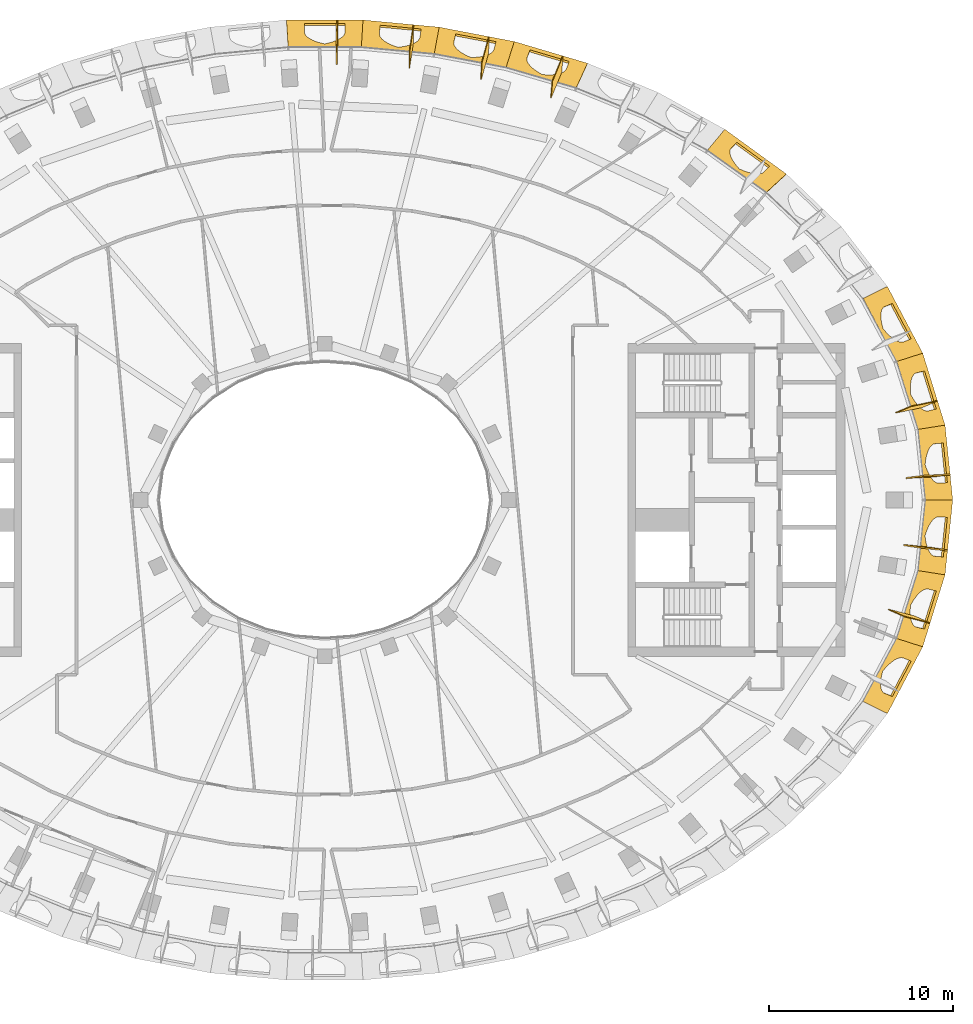
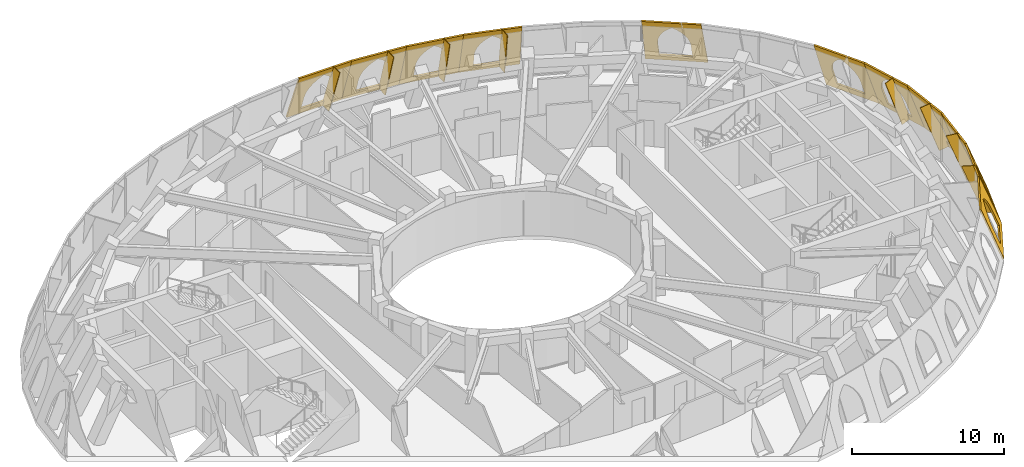
# One storey, part 14 of 14: 19 coverings.
"""IFC4 building model written with IfcOpenShell, lengths in metres."""

from ifc_helpers import new_model, si_unit, direction, frame, origin, place, context, subcontext, project, spatial, polyline, outline, extrude, material, layer, layer_set, type_object, element, save


model = new_model("IFC4")

# Units and contexts
model_context = context("Model", 3, precision=1e-05, world=origin(), true_north=direction((0.0, 1.0)))
body_context = subcontext(model_context, "Body", "Model", "MODEL_VIEW")
ifc_project = project(units=[si_unit("LENGTHUNIT", "METRE"), si_unit("AREAUNIT", "SQUARE_METRE"), si_unit("VOLUMEUNIT", "CUBIC_METRE"), si_unit("PLANEANGLEUNIT", "RADIAN"), si_unit("MASSUNIT", "GRAM", prefix="KILO")], contexts=[model_context])

# Site, building, storey
site_placement = place(None, origin())
site = spatial("IfcSite", under=ifc_project, at=site_placement, CompositionType="ELEMENT")
building_placement = place(site_placement, origin())
building = spatial("IfcBuilding", under=site, at=building_placement, Name="Noorbagh Ring Tower", CompositionType="ELEMENT")
storey_placement = place(building_placement, frame((0.0, 0.0, 343.0)))
storey = spatial("IfcBuildingStorey", under=building, at=storey_placement, Name="L75", CompositionType="ELEMENT", Elevation=343.0)

# Coverings
ifc_material_1 = material(Name="Aluminium 6063-T6 black anodised", Category="aluminium")
ifc_layer_1 = layer(ifc_material_1, 0.050048828125)
ifc_layer_set_1 = layer_set([ifc_layer_1], Name="Aluminium 6063-T6 black anodised")
covering_type_1 = type_object("IfcCoveringType", Name="STYLE-HEAD-FIN", PredefinedType="CLADDING", material=ifc_layer_set_1)
covering_1_placement = place(storey_placement, frame((34.018798828125, 1.357421875, 0.0), z_axis=(0.126888766467, -0.991521835409, 0.027994478933), x_axis=(-0.348820891966, -0.018184433384, 0.937012973075)))
element("IfcCovering", 1, at=covering_1_placement, inside=storey, type_object=covering_type_1, Name="Fin rib F01 L75", ObjectType="FIN", PredefinedType="CLADDING", context=body_context, shape_type="SweptSolid", body=[
    extrude(outline(polyline([(0.0, 0.0), (4.269405436428957, 0.0), (4.582918209071511, 0.843739407105667), (0.31351277264255367, 0.8437394071056665), (0.0, 0.0)])), origin(), (0.0, 0.0, -1.0), 0.050048828125),
])
covering_2_placement = place(storey_placement, frame((33.336181640625, 5.376708984375, 0.0), z_axis=(0.386809358776, -0.919467087178, 0.070418715978), x_axis=(-0.341156757155, -0.07173898133, 0.937264949524)))
element("IfcCovering", 2, at=covering_2_placement, inside=storey, type_object=covering_type_1, Name="Fin rib F02 L75", ObjectType="FIN", PredefinedType="CLADDING", context=body_context, shape_type="SweptSolid", body=[
    extrude(outline(polyline([(0.0, 0.0), (4.269551616795643, -2.220446049250313e-16), (4.577599874884689, 0.8456007895960724), (0.3080657724887856, 0.8456951662256905), (0.0, 0.0)])), origin(), (0.0, 0.0, -1.0), 0.050048828125),
])
covering_3_placement = place(storey_placement, frame((12.9658203125, 24.150634765625, 0.0), z_axis=(0.99020974942, -0.084247358207, 0.111297056513), x_axis=(-0.132787177759, -0.322690392381, 0.93714378624)))
element("IfcCovering", 3, at=covering_3_placement, inside=storey, type_object=covering_type_1, Name="Fin rib F09 L75", ObjectType="FIN", PredefinedType="CLADDING", context=body_context, shape_type="SweptSolid", body=[
    extrude(outline(polyline([(0.0, 0.0), (4.270097705471361, 2.220446049250313e-16), (4.569610449087812, 0.8486775241394964), (0.2994803248718809, 0.8486670169623932), (0.0, 0.0)])), origin(), (0.0, 0.0, -1.0), 0.050048828125),
])
covering_4_placement = place(storey_placement, frame((8.947509765625, 25.198486328125, 0.0), z_axis=(0.995738000279, -0.040278257647, 0.082966841342), x_axis=(-0.091707238003, -0.337036991856, 0.937014326795)))
element("IfcCovering", 4, at=covering_4_placement, inside=storey, type_object=covering_type_1, Name="Fin rib F10 L75", ObjectType="FIN", PredefinedType="CLADDING", context=body_context, shape_type="SweptSolid", body=[
    extrude(outline(polyline([(0.0, 0.0), (4.2701804879360905, -2.220446049250313e-16), (4.576570043470204, 0.8461414015156012), (0.30647183995595295, 0.8463710473729893), (0.0, 0.0)])), origin(), (0.0, 0.0, -1.0), 0.050048828125),
])
covering_5_placement = place(storey_placement, frame((4.843017578125, 25.849365234375, 0.0), z_axis=(0.998740259986, -0.010431768858, 0.049082290913), x_axis=(-0.049657435536, -0.346086678502, 0.936887479935)))
element("IfcCovering", 5, at=covering_5_placement, inside=storey, type_object=covering_type_1, Name="Fin rib F11 L75", ObjectType="FIN", PredefinedType="CLADDING", context=body_context, shape_type="SweptSolid", body=[
    extrude(outline(polyline([(0.0, 0.0), (4.269983696941542, 0.0), (4.581888599164923, 0.8441715551350804), (0.3119170256207293, 0.8441697940673561), (0.0, 0.0)])), origin(), (0.0, 0.0, -1.0), 0.050048828125),
])
covering_6_placement = place(storey_placement, frame((0.693603515625, 26.10888671875, 0.0), z_axis=(0.999853849539, 0.01207094311, 0.012106687995), x_axis=(-0.007118299096, -0.349910814242, 0.936755972436)))
element("IfcCovering", 6, at=covering_6_placement, inside=storey, type_object=covering_type_1, Name="Fin rib F12 L75", ObjectType="FIN", PredefinedType="CLADDING", context=body_context, shape_type="SweptSolid", body=[
    extrude(outline(polyline([(0.0, 0.0), (4.270057085678505, -2.220446049250313e-16), (4.584864443549209, 0.8431140137763533), (0.3148090957366956, 0.8431102189059664), (0.0, 0.0)])), origin(), (0.0, 0.0, -1.0), 0.050048828125),
])
covering_7_placement = place(storey_placement, frame((32.931396484375, -6.681396484375, 0.0), z_axis=(0.406880091467, 0.911519725709, 0.059836283407), x_axis=(-0.339042966947, 0.089866424226, 0.936468842173)))
element("IfcCovering", 7, at=covering_7_placement, inside=storey, type_object=covering_type_1, Name="Fin rib F45 L75", ObjectType="FIN", PredefinedType="CLADDING", context=body_context, shape_type="SweptSolid", body=[
    extrude(outline(polyline([(0.0, 0.0), (4.269532714398739, 0.0), (4.581104490749276, -0.8442211413685019), (0.3115937163955137, -0.8443191192979982), (0.0, 0.0)])), origin(), (0.0, 0.0, -1.0), 0.050048828125),
])
covering_8_placement = place(storey_placement, frame((33.8798828125, -2.714599609375, 0.0), z_axis=(0.150280862309, 0.988490004066, 0.017411900693), x_axis=(-0.34811913922, 0.036424423732, 0.936742401231)))
element("IfcCovering", 8, at=covering_8_placement, inside=storey, type_object=covering_type_1, Name="Fin rib F46 L75", ObjectType="FIN", PredefinedType="CLADDING", context=body_context, shape_type="SweptSolid", body=[
    extrude(outline(polyline([(0.0, 0.0), (4.269596116811338, 0.0), (4.5842263106746755, -0.8430752057862894), (0.3146301938633366, -0.8430752057862895), (0.0, 0.0)])), origin(), (0.0, 0.0, -1.0), 0.050048828125),
])
ifc_material_2 = material(Name="Red sandstone jali", Category="masonry")
ifc_layer_2 = layer(ifc_material_2, 0.1201171875)
ifc_layer_set_2 = layer_set([ifc_layer_2], Name="Red sandstone jali")
covering_type_2 = type_object("IfcCoveringType", Name="STYLE-HEAD-SKIN", PredefinedType="CLADDING", material=ifc_layer_set_2)
covering_9_placement = place(storey_placement, frame((34.15771484375, 0.0, 0.0), z_axis=(0.93229361619, 0.095346902977, 0.348909130438), x_axis=(-0.101742925715, 0.994810724223, 6.186522e-06)))
element("IfcCovering", 9, at=covering_9_placement, inside=storey, type_object=covering_type_2, Name="Head skin panel", ObjectType="HEAD SKIN", PredefinedType="CLADDING", context=body_context, shape_type="SweptSolid", body=[
    extrude(outline(polyline([(0.0, 0.0), (4.093017578125, 0.0), (4.01171875, 4.268310546875), (0.15234375, 4.268310546875), (0.0, 0.0)]), holes=[polyline([(0.970458984375, 0.550048828125), (0.981201171875, 1.8466796875), (1.002197265625, 2.128662109375), (1.0595703125, 2.406005859375), (1.152587890625, 2.673583984375), (1.27978515625, 2.92724609375), (1.438720703125, 3.162353515625), (1.626953125, 3.374755859375), (1.841064453125, 3.561279296875), (2.077392578125, 3.71826171875), (2.311279296875, 3.561279296875), (2.522216796875, 3.374755859375), (2.706787109375, 3.162353515625), (2.86181640625, 2.92724609375), (2.98486328125, 2.673583984375), (3.073486328125, 2.406005859375), (3.12646484375, 2.128662109375), (3.142578125, 1.8466796875), (3.131591796875, 0.550048828125), (0.970458984375, 0.550048828125)])]), origin(), (0.0, 0.0, -1.0), 0.1201171875),
])
covering_10_placement = place(storey_placement, frame((33.7412109375, 4.07177734375, 0.0), z_axis=(0.895637105631, 0.27789490996, 0.347287480389), x_axis=(-0.296339660983, 0.955082617017, 5.71243e-07)))
element("IfcCovering", 10, at=covering_10_placement, inside=storey, type_object=covering_type_2, Name="Head skin panel", ObjectType="HEAD SKIN", PredefinedType="CLADDING", context=body_context, shape_type="SweptSolid", body=[
    extrude(outline(polyline([(0.0, 0.0), (4.0986328125, 0.0), (4.084716796875, 4.265380859375), (0.2158203125, 4.265380859375), (0.0, 0.0)]), holes=[polyline([(0.97900390625, 0.550048828125), (1.009521484375, 1.83935546875), (1.03466796875, 2.1220703125), (1.096435546875, 2.39990234375), (1.194091796875, 2.66845703125), (1.3251953125, 2.922607421875), (1.48828125, 3.158203125), (1.68017578125, 3.37109375), (1.897705078125, 3.55810546875), (2.13720703125, 3.715576171875), (2.368896484375, 3.55810546875), (2.57763671875, 3.37109375), (2.759521484375, 3.158203125), (2.911376953125, 2.922607421875), (3.03076171875, 2.66845703125), (3.115478515625, 2.39990234375), (3.164306640625, 2.1220703125), (3.176025390625, 1.83935546875), (3.1455078125, 0.550048828125), (0.97900390625, 0.550048828125)])]), origin(), (0.0, 0.0, -1.0), 0.1201171875),
])
covering_11_placement = place(storey_placement, frame((32.526611328125, 7.986328125, 0.0), z_axis=(0.829262779638, 0.439095659371, 0.345714107651), x_axis=(-0.467948620743, 0.883755672309, -2.619767e-06)))
element("IfcCovering", 11, at=covering_11_placement, inside=storey, type_object=covering_type_2, Name="Head skin panel", ObjectType="HEAD SKIN", PredefinedType="CLADDING", context=body_context, shape_type="SweptSolid", body=[
    extrude(outline(polyline([(0.0, 0.0), (4.107666015625, 0.0), (4.14794921875, 4.262939453125), (0.26318359375, 4.262939453125), (0.0, 0.0)]), holes=[polyline([(0.985595703125, 0.550048828125), (1.03125, 1.828857421875), (1.059814453125, 2.11279296875), (1.125244140625, 2.391845703125), (1.226318359375, 2.661376953125), (1.361328125, 2.91650390625), (1.52783203125, 3.1533203125), (1.72314453125, 3.3671875), (1.943603515625, 3.5546875), (2.185791015625, 3.712890625), (2.4169921875, 3.5546875), (2.624267578125, 3.3671875), (2.80419921875, 3.1533203125), (2.953857421875, 2.91650390625), (3.07080078125, 2.661376953125), (3.152587890625, 2.391845703125), (3.1982421875, 2.11279296875), (3.206787109375, 1.828857421875), (3.1611328125, 0.550048828125), (0.985595703125, 0.550048828125)])]), origin(), (0.0, 0.0, -1.0), 0.1201171875),
])
covering_12_placement = place(storey_placement, frame((25.108642578125, 17.734130859375, 0.0), z_axis=(0.551174687824, 0.759979640364, 0.344437816934), x_axis=(-0.809515019405, 0.587099168244, 2.24531e-06)))
element("IfcCovering", 12, at=covering_12_placement, inside=storey, type_object=covering_type_2, Name="Head skin panel", ObjectType="HEAD SKIN", PredefinedType="CLADDING", context=body_context, shape_type="SweptSolid", body=[
    extrude(outline(polyline([(0.0, 0.0), (4.13818359375, 0.0), (4.232421875, 4.2607421875), (0.294921875, 4.2607421875), (0.0, 0.0)]), holes=[polyline([(0.99169921875, 0.550048828125), (1.048828125, 1.801025390625), (1.080810546875, 2.0888671875), (1.14990234375, 2.371826171875), (1.255126953125, 2.64501953125), (1.39453125, 2.90380859375), (1.56591796875, 3.1435546875), (1.76611328125, 3.3603515625), (1.991455078125, 3.550537109375), (2.23876953125, 3.710693359375), (2.47119140625, 3.550537109375), (2.67919921875, 3.3603515625), (2.859619140625, 3.1435546875), (3.0087890625, 2.90380859375), (3.124755859375, 2.64501953125), (3.204833984375, 2.371826171875), (3.248291015625, 2.0888671875), (3.25390625, 1.801025390625), (3.19677734375, 0.550048828125), (0.99169921875, 0.550048828125)])]), origin(), (0.0, 0.0, -1.0), 0.1201171875),
])
covering_13_placement = place(storey_placement, frame((14.294189453125, 23.757080078125, 0.0), z_axis=(0.266392224877, 0.899112499236, 0.347321027644), x_axis=(-0.958801902362, 0.284075539266, 4.330016e-06)))
element("IfcCovering", 13, at=covering_13_placement, inside=storey, type_object=covering_type_2, Name="Head skin panel", ObjectType="HEAD SKIN", PredefinedType="CLADDING", context=body_context, shape_type="SweptSolid", body=[
    extrude(outline(polyline([(0.0, 0.0), (4.15625, 0.0), (4.183837890625, 4.265625), (0.21435546875, 4.265625), (0.0, 0.0)]), holes=[polyline([(0.982421875, 0.550048828125), (1.017578125, 1.790283203125), (1.044677734375, 2.08056640625), (1.109619140625, 2.36572265625), (1.210693359375, 2.64111328125), (1.3466796875, 2.90185546875), (1.515380859375, 3.143798828125), (1.713134765625, 3.3623046875), (1.937255859375, 3.55419921875), (2.18359375, 3.715576171875), (2.4208984375, 3.55419921875), (2.634033203125, 3.3623046875), (2.819580078125, 3.143798828125), (2.97412109375, 2.90185546875), (3.095458984375, 2.64111328125), (3.18115234375, 2.36572265625), (3.229736328125, 2.08056640625), (3.240478515625, 1.790283203125), (3.205322265625, 0.550048828125), (0.982421875, 0.550048828125)])]), origin(), (0.0, 0.0, -1.0), 0.1201171875),
])
covering_14_placement = place(storey_placement, frame((10.30908203125, 24.937744140625, 0.0), z_axis=(0.176226407285, 0.92063105875, 0.348400211023), x_axis=(-0.982167698932, 0.188006944458, -3.293323e-06)))
element("IfcCovering", 14, at=covering_14_placement, inside=storey, type_object=covering_type_2, Name="Head skin panel", ObjectType="HEAD SKIN", PredefinedType="CLADDING", context=body_context, shape_type="SweptSolid", body=[
    extrude(outline(polyline([(0.0, 0.0), (4.1591796875, 0.0), (4.150390625, 4.267333984375), (0.17529296875, 4.267333984375), (0.0, 0.0)]), holes=[polyline([(0.977294921875, 0.550048828125), (1.001708984375, 1.78955078125), (1.0263671875, 2.080078125), (1.088623046875, 2.36572265625), (1.187744140625, 2.641357421875), (1.321533203125, 2.902587890625), (1.488037109375, 3.144775390625), (1.684326171875, 3.363525390625), (1.906982421875, 3.5556640625), (2.15234375, 3.71728515625), (2.391357421875, 3.5556640625), (2.6064453125, 3.363525390625), (2.794189453125, 3.144775390625), (2.951171875, 2.902587890625), (3.074951171875, 2.641357421875), (3.1630859375, 2.36572265625), (3.21435546875, 2.080078125), (3.227783203125, 1.78955078125), (3.20361328125, 0.550048828125), (0.977294921875, 0.550048828125)])]), origin(), (0.0, 0.0, -1.0), 0.1201171875),
])
covering_15_placement = place(storey_placement, frame((6.22412109375, 25.7197265625, 0.0), z_axis=(0.087657312521, 0.93292224724, 0.349245295124), x_axis=(-0.995615176068, 0.093543685276, 1.1354645e-05)))
element("IfcCovering", 15, at=covering_15_placement, inside=storey, type_object=covering_type_2, Name="Head skin panel", ObjectType="HEAD SKIN", PredefinedType="CLADDING", context=body_context, shape_type="SweptSolid", body=[
    extrude(outline(polyline([(0.0, 0.0), (4.16162109375, 0.0), (4.112548828125, 4.268798828125), (0.134033203125, 4.268798828125), (0.0, 0.0)]), holes=[polyline([(0.97216796875, 0.550048828125), (0.984619140625, 1.78955078125), (1.00634765625, 2.080322265625), (1.066162109375, 2.3662109375), (1.16259765625, 2.64208984375), (1.2939453125, 2.9033203125), (1.458251953125, 3.145751953125), (1.652587890625, 3.36474609375), (1.873779296875, 3.556884765625), (2.11767578125, 3.718994140625), (2.3583984375, 3.556884765625), (2.575439453125, 3.36474609375), (2.765380859375, 3.145751953125), (2.925048828125, 2.9033203125), (3.05126953125, 2.64208984375), (3.14208984375, 2.3662109375), (3.1962890625, 2.080322265625), (3.21240234375, 1.78955078125), (3.2001953125, 0.550048828125), (0.97216796875, 0.550048828125)])]), origin(), (0.0, 0.0, -1.0), 0.1201171875),
])
covering_16_placement = place(storey_placement, frame((2.080810546875, 26.10888671875, 0.0), z_axis=(0.0, 0.936779550661, 0.349920095828), x_axis=(-1.0, 0.0, 0.0)))
element("IfcCovering", 16, at=covering_16_placement, inside=storey, type_object=covering_type_2, Name="Head skin panel", ObjectType="HEAD SKIN", PredefinedType="CLADDING", context=body_context, shape_type="SweptSolid", body=[
    extrude(outline(polyline([(0.0, 0.0), (4.16162109375, 0.0), (4.070556640625, 4.27001953125), (0.091064453125, 4.27001953125), (0.0, 0.0)]), holes=[polyline([(0.966796875, 0.550048828125), (0.966796875, 1.7900390625), (0.985595703125, 2.0810546875), (1.04248046875, 2.366943359375), (1.13623046875, 2.642822265625), (1.26513671875, 2.904296875), (1.42724609375, 3.146728515625), (1.619384765625, 3.365966796875), (1.838623046875, 3.55810546875), (2.080810546875, 3.719970703125), (2.3232421875, 3.55810546875), (2.54248046875, 3.365966796875), (2.734619140625, 3.146728515625), (2.896484375, 2.904296875), (3.025634765625, 2.642822265625), (3.119384765625, 2.366943359375), (3.176025390625, 2.0810546875), (3.1953125, 1.7900390625), (3.1953125, 0.550048828125), (0.966796875, 0.550048828125)])]), origin(), (0.0, 0.0, -1.0), 0.1201171875),
])
covering_17_placement = place(storey_placement, frame((30.6044921875, -11.616455078125, 0.0), z_axis=(0.827727352883, -0.438282649021, 0.350393705504), x_axis=(0.467948597494, 0.883755684619, 2.650312e-06)))
element("IfcCovering", 17, at=covering_17_placement, inside=storey, type_object=covering_type_2, Name="Head skin panel", ObjectType="HEAD SKIN", PredefinedType="CLADDING", context=body_context, shape_type="SweptSolid", body=[
    extrude(outline(polyline([(0.0, 0.0), (4.107666015625, 0.0), (3.844482421875, 4.270751953125), (-0.0400390625, 4.270751953125), (0.0, 0.0)]), holes=[polyline([(0.946533203125, 0.550048828125), (0.90087890625, 1.8369140625), (0.909423828125, 2.12060546875), (0.955078125, 2.39990234375), (1.037109375, 2.669189453125), (1.15380859375, 2.924560546875), (1.303466796875, 3.1611328125), (1.4833984375, 3.375), (1.69091796875, 3.562744140625), (1.921875, 3.720703125), (2.1640625, 3.562744140625), (2.384521484375, 3.375), (2.579833984375, 3.1611328125), (2.746337890625, 2.924560546875), (2.88134765625, 2.669189453125), (2.982421875, 2.39990234375), (3.047607421875, 2.12060546875), (3.076416015625, 1.8369140625), (3.1220703125, 0.550048828125), (0.946533203125, 0.550048828125)])]), origin(), (0.0, 0.0, -1.0), 0.1201171875),
])
covering_18_placement = place(storey_placement, frame((32.526611328125, -7.986328125, 0.0), z_axis=(0.894495861852, -0.277540809136, 0.350497150335), x_axis=(0.296339664735, 0.955082615853, -5.75787e-07)))
element("IfcCovering", 18, at=covering_18_placement, inside=storey, type_object=covering_type_2, Name="Head skin panel", ObjectType="HEAD SKIN", PredefinedType="CLADDING", context=body_context, shape_type="SweptSolid", body=[
    extrude(outline(polyline([(0.0, 0.0), (4.0986328125, 0.0), (3.8828125, 4.27099609375), (0.01416015625, 4.27099609375), (0.0, 0.0)]), holes=[polyline([(0.952880859375, 0.550048828125), (0.922607421875, 1.8447265625), (0.934326171875, 2.12744140625), (0.983154296875, 2.405517578125), (1.06787109375, 2.673828125), (1.187255859375, 2.927978515625), (1.339111328125, 3.16357421875), (1.52099609375, 3.376708984375), (1.7294921875, 3.5634765625), (1.96142578125, 3.720947265625), (2.20068359375, 3.5634765625), (2.418212890625, 3.376708984375), (2.610107421875, 3.16357421875), (2.773193359375, 2.927978515625), (2.904541015625, 2.673828125), (3.001953125, 2.405517578125), (3.063720703125, 2.12744140625), (3.089111328125, 1.8447265625), (3.11962890625, 0.550048828125), (0.952880859375, 0.550048828125)])]), origin(), (0.0, 0.0, -1.0), 0.1201171875),
])
covering_19_placement = place(storey_placement, frame((33.7412109375, -4.07177734375, 0.0), z_axis=(0.931863593613, -0.095302923998, 0.350067987077), x_axis=(0.101742940961, 0.994810722663, -6.204207e-06)))
element("IfcCovering", 19, at=covering_19_placement, inside=storey, type_object=covering_type_2, Name="Head skin panel", ObjectType="HEAD SKIN", PredefinedType="CLADDING", context=body_context, shape_type="SweptSolid", body=[
    extrude(outline(polyline([(0.0, 0.0), (4.093017578125, 0.0), (3.940673828125, 4.270263671875), (0.081298828125, 4.270263671875), (0.0, 0.0)]), holes=[polyline([(0.961181640625, 0.550048828125), (0.95068359375, 1.848388671875), (0.966796875, 2.130615234375), (1.01953125, 2.407958984375), (1.108154296875, 2.675537109375), (1.231201171875, 2.92919921875), (1.38623046875, 3.164306640625), (1.57080078125, 3.376708984375), (1.781982421875, 3.563232421875), (2.015625, 3.72021484375), (2.251953125, 3.563232421875), (2.466064453125, 3.376708984375), (2.654296875, 3.164306640625), (2.813232421875, 2.92919921875), (2.9404296875, 2.675537109375), (3.033447265625, 2.407958984375), (3.091064453125, 2.130615234375), (3.11181640625, 1.848388671875), (3.12255859375, 0.550048828125), (0.961181640625, 0.550048828125)])]), origin(), (0.0, 0.0, -1.0), 0.1201171875),
])

save(model, "model.ifc")
